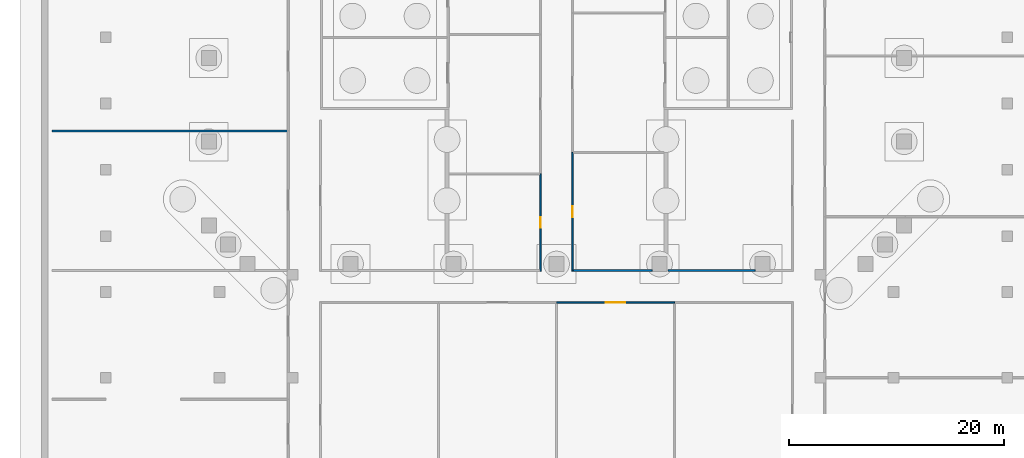
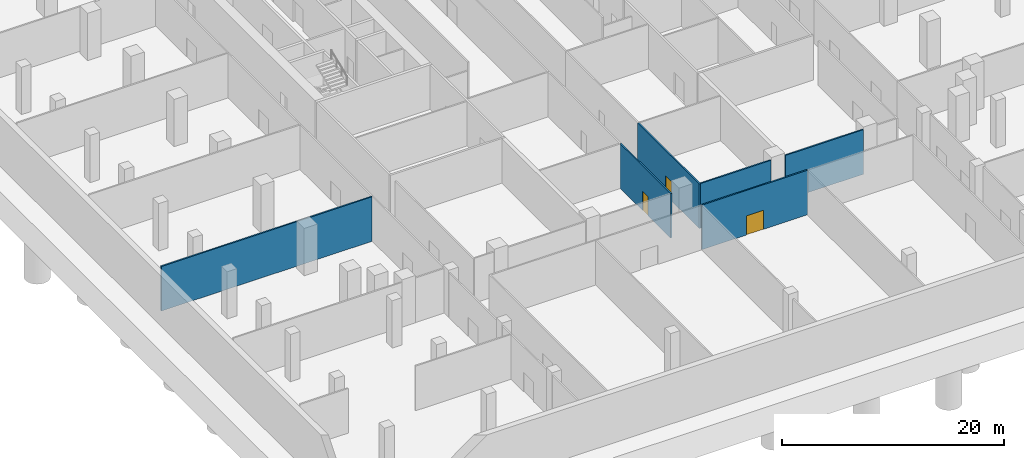
# One storey, part 4 of 14: 6 walls, 3 doors, 3 openings.
"""IFC4 building model written with IfcOpenShell, lengths in metres."""

from ifc_helpers import new_model, si_unit, direction, frame, frame_2d, origin, place, context, subcontext, project, spatial, rectangle, extrude, material, layer, layer_set, type_object, element, fill, save


model = new_model("IFC4")

# Units and contexts
model_context = context("Model", 3, precision=1e-05, world=origin(), true_north=direction((0.0, 1.0)))
body_context = subcontext(model_context, "Body", "Model", "MODEL_VIEW")
ifc_project = project(units=[si_unit("LENGTHUNIT", "METRE"), si_unit("AREAUNIT", "SQUARE_METRE"), si_unit("VOLUMEUNIT", "CUBIC_METRE"), si_unit("PLANEANGLEUNIT", "RADIAN"), si_unit("MASSUNIT", "GRAM", prefix="KILO")], contexts=[model_context])

# Site, building, storey
site_placement = place(None, origin())
site = spatial("IfcSite", under=ifc_project, at=site_placement, CompositionType="ELEMENT")
building_placement = place(site_placement, origin())
building = spatial("IfcBuilding", under=site, at=building_placement, Name="Ogive Exchange Tower", CompositionType="ELEMENT")
storey_placement = place(building_placement, frame((0.0, 0.0, -10.39990234375)))
storey = spatial("IfcBuildingStorey", under=building, at=storey_placement, Name="B2", CompositionType="ELEMENT", Elevation=-10.39990234375)

# Wall, opening, door
ifc_material_1 = material(Name="Fire partition EI 60 150")
ifc_layer = layer(ifc_material_1, 0.14990234375)
ifc_layer_set = layer_set([ifc_layer], Name="Fire partition EI 60 150")
wall_type = type_object("IfcWallType", Name="Fire partition EI 60 150", PredefinedType="PARTITIONING", material=ifc_layer_set)
wall_1_placement = place(storey_placement, frame((0.0, -34.0, 0.0), z_axis=(0.0, 0.0, 1.0), x_axis=(1.0, 0.0, 0.0)))
wall_1 = element("IfcWall", 1, at=wall_1_placement, inside=storey, type_object=wall_type, Name="B2-PWL-008", PredefinedType="PARTITIONING", context=body_context, shape_type="SweptSolid", body=[
    extrude(rectangle(XDim=11.0, YDim=0.14990234375, at=frame_2d((5.5, 0.0))), origin(), (0.0, 0.0, 1.0), 4.89990234375),
])
opening_1_placement = place(wall_1_placement, frame((4.60009765625, 0.0, 0.0)))
opening_1 = element("IfcOpeningElement", 2, at=opening_1_placement, cuts=wall_1, Name="Opening B2-I30", PredefinedType="OPENING", context=body_context, shape_type="SweptSolid", body=[
    extrude(rectangle(XDim=1.800048828125, YDim=2.10009765625, at=frame_2d((0.89990234375, 1.050048828125))), frame((0.0, 0.0849609375, 0.0), z_axis=(0.0, -1.0, 0.0), x_axis=(1.0, 0.0, 0.0)), (0.0, 0.0, 1.0), 0.169921875),
])
ifc_material_2 = material(Name="Fire door FD 30S 1800 x 2100")
door_type_1 = type_object("IfcDoorType", Name="Fire door FD 30S 1800 x 2100", OperationType="DOUBLE_DOOR_SINGLE_SWING", PredefinedType="DOOR", material=ifc_material_2)
door_1_placement = place(opening_1_placement, origin())
door_1 = element("IfcDoor", 3, at=door_1_placement, inside=storey, type_object=door_type_1, Name="B2-IDR-030", ObjectType="DT4", OperationType="SINGLE_SWING_RIGHT", OverallHeight=2.10009765625, OverallWidth=1.800048828125, PredefinedType="DOOR", context=body_context, shape_type="SweptSolid", body=[
    extrude(rectangle(XDim=1.800048828125, YDim=2.10009765625, at=frame_2d((0.89990234375, 1.050048828125))), frame((0.0, 0.02490234375, 0.0), z_axis=(0.0, -1.0, 0.0), x_axis=(1.0, 0.0, 0.0)), (0.0, 0.0, 1.0), 0.050048828125),
])
fill(opening_1, door_1)

# Walls
wall_2_placement = place(storey_placement, frame((1.574951171875, -31.0, 0.0), z_axis=(0.0, 0.0, 1.0), x_axis=(1.0, 0.0, 0.0)))
element("IfcWall", 4, at=wall_2_placement, inside=storey, type_object=wall_type, Name="B2-PWL-015", PredefinedType="PARTITIONING", context=body_context, shape_type="SweptSolid", body=[
    extrude(rectangle(XDim=7.324951171875, YDim=0.14990234375, at=frame_2d((3.66259765625, 0.0))), origin(), (0.0, 0.0, 1.0), 4.89990234375),
])
wall_3_placement = place(storey_placement, frame((10.39990234375, -31.0, 0.0), z_axis=(0.0, 0.0, 1.0), x_axis=(1.0, 0.0, 0.0)))
element("IfcWall", 5, at=wall_3_placement, inside=storey, type_object=wall_type, Name="B2-PWL-016", PredefinedType="PARTITIONING", context=body_context, shape_type="SweptSolid", body=[
    extrude(rectangle(XDim=8.10009765625, YDim=0.14990234375, at=frame_2d((4.050048828125, 0.0))), origin(), (0.0, 0.0, 1.0), 4.89990234375),
])
wall_4_placement = place(storey_placement, frame((-47.0, -18.0, 0.0), z_axis=(0.0, 0.0, 1.0), x_axis=(1.0, 0.0, 0.0)))
element("IfcWall", 6, at=wall_4_placement, inside=storey, type_object=wall_type, Name="B2-PWL-021", PredefinedType="PARTITIONING", context=body_context, shape_type="SweptSolid", body=[
    extrude(rectangle(XDim=21.925048828125, YDim=0.14990234375, at=frame_2d((10.96240234375, 0.0))), origin(), (0.0, 0.0, 1.0), 4.89990234375),
])

# Wall, opening, door
wall_5_placement = place(storey_placement, frame((-1.5, -31.074951171875, 0.0), z_axis=(0.0, 0.0, 1.0), x_axis=(0.0, 1.0, 0.0)))
wall_5 = element("IfcWall", 7, at=wall_5_placement, inside=storey, type_object=wall_type, Name="B2-PWL-052", PredefinedType="PARTITIONING", context=body_context, shape_type="SweptSolid", body=[
    extrude(rectangle(XDim=9.074951171875, YDim=0.14990234375, at=frame_2d((4.53759765625, 0.0))), origin(), (0.0, 0.0, 1.0), 4.89990234375),
])
opening_2_placement = place(wall_5_placement, frame((4.03759765625, 0.0, 0.0)))
opening_2 = element("IfcOpeningElement", 8, at=opening_2_placement, cuts=wall_5, Name="Opening B2-I20", PredefinedType="OPENING", context=body_context, shape_type="SweptSolid", body=[
    extrude(rectangle(XDim=1.0, YDim=2.10009765625, at=frame_2d((0.5, 1.050048828125))), frame((0.0, 0.0849609375, 0.0), z_axis=(0.0, -1.0, 0.0), x_axis=(1.0, 0.0, 0.0)), (0.0, 0.0, 1.0), 0.169921875),
])
ifc_material_3 = material(Name="Fire door FD 30S 1000 x 2100")
door_type_2 = type_object("IfcDoorType", Name="Fire door FD 30S 1000 x 2100", OperationType="NOTDEFINED", PredefinedType="DOOR", material=ifc_material_3)
door_2_placement = place(opening_2_placement, origin())
door_2 = element("IfcDoor", 9, at=door_2_placement, inside=storey, type_object=door_type_2, Name="B2-IDR-020", ObjectType="DT3", OperationType="SINGLE_SWING_LEFT", OverallHeight=2.10009765625, OverallWidth=1.0, PredefinedType="DOOR", context=body_context, shape_type="SweptSolid", body=[
    extrude(rectangle(XDim=1.0, YDim=2.10009765625, at=frame_2d((0.5, 1.050048828125))), frame((0.0, 0.02490234375, 0.0), z_axis=(0.0, -1.0, 0.0), x_axis=(1.0, 0.0, 0.0)), (0.0, 0.0, 1.0), 0.050048828125),
])
fill(opening_2, door_2)

wall_6_placement = place(storey_placement, frame((1.5, -31.074951171875, 0.0), z_axis=(0.0, 0.0, 1.0), x_axis=(0.0, 1.0, 0.0)))
wall_6 = element("IfcWall", 10, at=wall_6_placement, inside=storey, type_object=wall_type, Name="B2-PWL-059", PredefinedType="PARTITIONING", context=body_context, shape_type="SweptSolid", body=[
    extrude(rectangle(XDim=11.074951171875, YDim=0.14990234375, at=frame_2d((5.53759765625, 0.0))), origin(), (0.0, 0.0, 1.0), 4.89990234375),
])
opening_3_placement = place(wall_6_placement, frame((5.03759765625, 0.0, 0.0)))
opening_3 = element("IfcOpeningElement", 11, at=opening_3_placement, cuts=wall_6, Name="Opening B2-I23", PredefinedType="OPENING", context=body_context, shape_type="SweptSolid", body=[
    extrude(rectangle(XDim=1.0, YDim=2.10009765625, at=frame_2d((0.5, 1.050048828125))), frame((0.0, 0.0849609375, 0.0), z_axis=(0.0, -1.0, 0.0), x_axis=(1.0, 0.0, 0.0)), (0.0, 0.0, 1.0), 0.169921875),
])
door_3_placement = place(opening_3_placement, frame((1.0, 0.0, 0.0), z_axis=(0.0, 0.0, 1.0), x_axis=(-1.0, 0.0, 0.0)))
door_3 = element("IfcDoor", 12, at=door_3_placement, inside=storey, type_object=door_type_2, Name="B2-IDR-023", ObjectType="DT3", OperationType="SINGLE_SWING_RIGHT", OverallHeight=2.10009765625, OverallWidth=1.0, PredefinedType="DOOR", context=body_context, shape_type="SweptSolid", body=[
    extrude(rectangle(XDim=1.0, YDim=2.10009765625, at=frame_2d((0.5, 1.050048828125))), frame((0.0, 0.02490234375, 0.0), z_axis=(0.0, -1.0, 0.0), x_axis=(1.0, 0.0, 0.0)), (0.0, 0.0, 1.0), 0.050048828125),
])
fill(opening_3, door_3)

save(model, "model.ifc")
